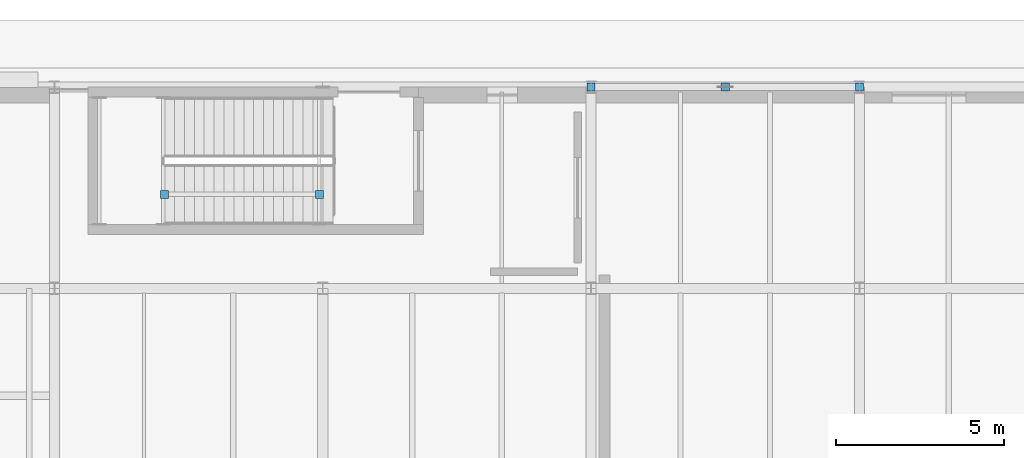
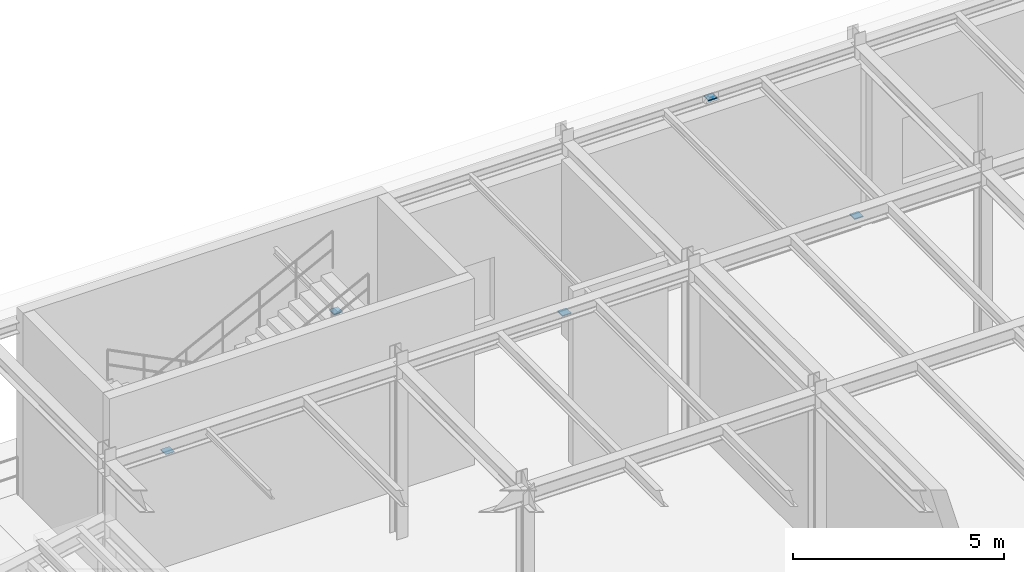
# One storey, part 109 of 129: 5 discrete accessories.
"""IFC4 building model written with IfcOpenShell, lengths in metres."""

from ifc_helpers import new_model, si_unit, direction, frame, origin, origin_2d, place, context, subcontext, project, spatial, rectangle, extrude, material, type_object, element, save


model = new_model("IFC4")

# Units and contexts
model_context = context("Model", 3, precision=1e-05, world=origin(), true_north=direction((0.0, 1.0)))
body_context = subcontext(model_context, "Body", "Model", "MODEL_VIEW")
ifc_project = project(units=[si_unit("LENGTHUNIT", "METRE"), si_unit("AREAUNIT", "SQUARE_METRE"), si_unit("VOLUMEUNIT", "CUBIC_METRE"), si_unit("PLANEANGLEUNIT", "RADIAN"), si_unit("MASSUNIT", "GRAM", prefix="KILO")], contexts=[model_context])

# Site, building, storey
site_placement = place(None, origin())
site = spatial("IfcSite", under=ifc_project, at=site_placement, CompositionType="ELEMENT")
building_placement = place(site_placement, origin())
building = spatial("IfcBuilding", under=site, at=building_placement, Name="Sundkrona Museum", CompositionType="ELEMENT")
storey_placement = place(building_placement, origin())
storey = spatial("IfcBuildingStorey", under=building, at=storey_placement, Name="L00", CompositionType="ELEMENT", Elevation=0.0)

# Discrete accessories
ifc_material = material(Name="Stainless Steel EN 1.4404 Cleat", Category="steel")
discrete_accessory_type = type_object("IfcDiscreteAccessoryType", Name="BRK-FIN-01", PredefinedType="BRACKET", material=ifc_material)
for number, where, z_axis, x_axis, name in (
    (1, (152.0, 114.0, -0.012451171875), (0.0, 0.0, 1.0), (1.0, 0.0, 0.0), "Brace and Strut End Connection Plate BR-L00-030A-1"),
    (2, (156.0, 114.0, 4.817626953125), (0.0, 0.0, 1.0), (1.0, 0.0, 0.0), "Brace and Strut End Connection Plate BR-L00-030A-2"),
    (3, (160.0, 114.0, -0.012451171875), (0.0, 0.0, 1.0), (1.0, 0.0, 0.0), "Brace and Strut End Connection Plate BR-L00-030B-1"),
    (4, (139.284912109375, 110.800048828125, 2.367431640625), (0.0, 0.0, 1.0), (1.0, 0.0, 0.0), "Brace and Strut End Connection Plate RK-ST-ST-5-L00-2-1"),
    (5, (143.89990234375, 110.800048828125, 4.8017578125), (0.0, 0.0, 1.0), (1.0, 0.0, 0.0), "Brace and Strut End Connection Plate RK-ST-ST-5-L00-2-2"),
):
    element("IfcDiscreteAccessory", number, at=place(storey_placement, frame(where, z_axis=z_axis, x_axis=x_axis)), inside=storey, type_object=discrete_accessory_type, Name=name, PredefinedType="BRACKET", context=body_context, shape_type="SweptSolid", body=[
        extrude(rectangle(XDim=0.239990234375, YDim=0.239990234375, at=origin_2d()), origin(), (0.0, 0.0, 1.0), 0.02490234375),
    ])

save(model, "model.ifc")
